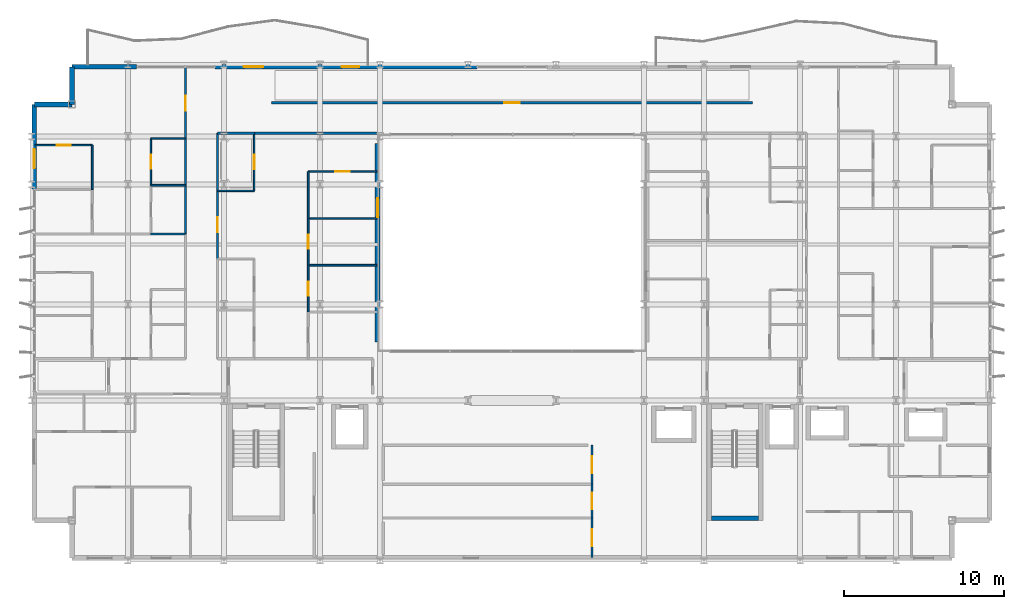
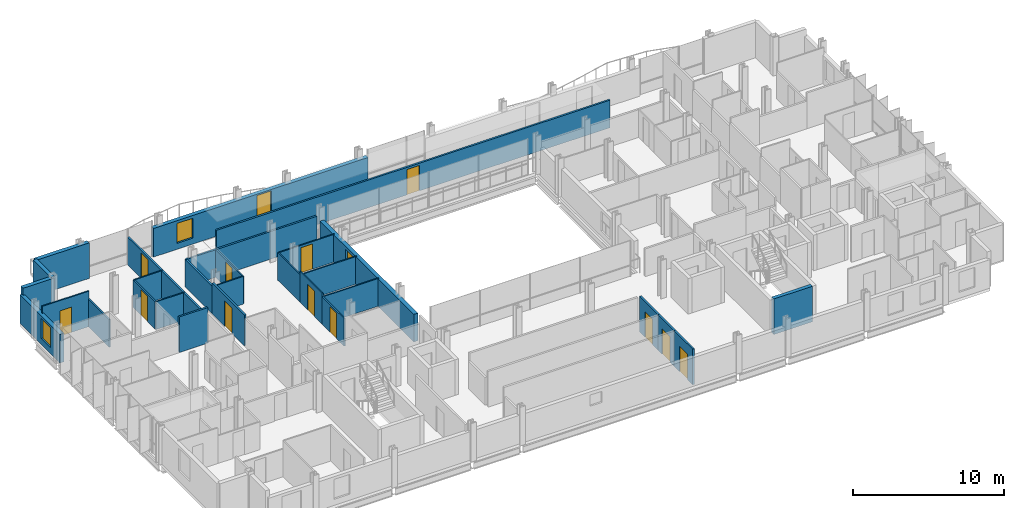
# One storey, part 29 of 38: 32 walls, 13 doors, 3 windows, 16 openings.
"""IFC4 building model written with IfcOpenShell, lengths in metres."""

from ifc_helpers import new_model, si_unit, direction, frame, frame_2d, origin, place, context, subcontext, project, spatial, rectangle, extrude, material, layer, layer_set, type_object, element, fill, save


model = new_model("IFC4")

# Units and contexts
model_context = context("Model", 3, precision=1e-05, world=origin(), true_north=direction((0.0, 1.0)))
body_context = subcontext(model_context, "Body", "Model", "MODEL_VIEW")
ifc_project = project(units=[si_unit("LENGTHUNIT", "METRE"), si_unit("AREAUNIT", "SQUARE_METRE"), si_unit("VOLUMEUNIT", "CUBIC_METRE"), si_unit("PLANEANGLEUNIT", "RADIAN"), si_unit("MASSUNIT", "GRAM", prefix="KILO")], contexts=[model_context])

# Site, building, storey
site_placement = place(None, origin())
site = spatial("IfcSite", under=ifc_project, at=site_placement, CompositionType="ELEMENT")
building_placement = place(site_placement, origin())
building = spatial("IfcBuilding", under=site, at=building_placement, Name="Brevholm Reach", CompositionType="ELEMENT")
storey_placement = place(building_placement, frame((0.0, 0.0, 59.0)))
storey = spatial("IfcBuildingStorey", under=building, at=storey_placement, Name="L16", CompositionType="ELEMENT", Elevation=59.0)

# Walls
ifc_material_1 = material(Name="Concrete C50/60", Category="concrete")
ifc_layer_1 = layer(ifc_material_1, 0.280029296875)
ifc_layer_set_1 = layer_set([ifc_layer_1], Name="Concrete C50/60")
wall_type_1 = type_object("IfcWallType", Name="WAL-COR-280", PredefinedType="SHEAR", material=ifc_layer_set_1)
wall_1_placement = place(storey_placement, frame((42.449951171875, 2.639892578125, 0.0), z_axis=(0.0, 0.0, 1.0), x_axis=(1.0, 0.0, 0.0)))
element("IfcWall", 1, at=wall_1_placement, inside=storey, type_object=wall_type_1, Name="L16 Escape Stair ST-2 Core Wall S", PredefinedType="SHEAR", context=body_context, shape_type="SweptSolid", body=[
    extrude(rectangle(XDim=2.949951171875, YDim=0.280029296875, at=frame_2d((1.47509765625, 0.0))), origin(), (0.0, 0.0, 1.0), 2.8701171875),
])
ifc_material_2 = material(Name="Concrete C40/50", Category="concrete")
ifc_layer_2 = layer(ifc_material_2, 0.300048828125)
ifc_layer_set_2 = layer_set([ifc_layer_2], Name="Concrete C40/50")
wall_type_2 = type_object("IfcWallType", Name="WAL-EXT-300", PredefinedType="STANDARD", material=ifc_layer_set_2)
for number, where, z_axis, x_axis, name in (
    (2, (2.5, 30.85009765625, 0.0), (0.0, 0.0, 1.0), (0.0, -1.0, 0.0), "L16 Facade Wall WAL-L16-CNW1"),
    (3, (2.5, 28.5, 0.0), (0.0, 0.0, 1.0), (-1.0, 0.0, 0.0), "L16 Facade Wall WAL-L16-CNW2"),
):
    element("IfcWall", number, at=place(storey_placement, frame(where, z_axis=z_axis, x_axis=x_axis)), inside=storey, type_object=wall_type_2, Name=name, PredefinedType="STANDARD", context=body_context, shape_type="SweptSolid", body=[
        extrude(rectangle(XDim=2.35009765625, YDim=0.300048828125, at=frame_2d((1.175048828125, 0.0))), origin(), (0.0, 0.0, 1.0), 2.8701171875),
    ])

# Wall, opening, window
wall_2_placement = place(storey_placement, frame((0.14990234375, 28.5, 0.0), z_axis=(0.0, 0.0, 1.0), x_axis=(0.0, -1.0, 0.0)))
wall_2 = element("IfcWall", 4, at=wall_2_placement, inside=storey, type_object=wall_type_2, Name="L16 Facade Wall WAL-L16-W-N", PredefinedType="STANDARD", context=body_context, shape_type="SweptSolid", body=[
    extrude(rectangle(XDim=5.280029296875, YDim=0.300048828125, at=frame_2d((2.64013671875, 0.0))), origin(), (0.0, 0.0, 1.0), 2.305419921875),
])
opening_1_placement = place(wall_2_placement, frame((2.800048828125, 0.0, 0.486083984375)))
opening_1 = element("IfcOpeningElement", 5, at=opening_1_placement, cuts=wall_2, Name="Opening WN-08", PredefinedType="OPENING", context=body_context, shape_type="SweptSolid", body=[
    extrude(rectangle(XDim=1.199951171875, YDim=1.60009765625, at=frame_2d((0.60009765625, 0.800048828125))), frame((0.0, 0.159912109375, 0.0), z_axis=(0.0, -1.0, 0.0), x_axis=(1.0, 0.0, 0.0)), (0.0, 0.0, 1.0), 0.320068359375),
])
ifc_material_3 = material(Name="Dark Anodised Aluminium and Solar-Control IGU Glass", Category="aluminium")
window_type = type_object("IfcWindowType", Name="WIN-RES-1200", PartitioningType="SINGLE_PANEL", PredefinedType="WINDOW", material=ifc_material_3)
window_1_placement = place(opening_1_placement, origin())
window_1 = element("IfcWindow", 6, at=window_1_placement, inside=storey, type_object=window_type, Name="L16 Window WIN-L16-WN-1", OverallHeight=1.60009765625, OverallWidth=1.199951171875, PartitioningType="SINGLE_PANEL", PredefinedType="WINDOW", context=body_context, shape_type="SweptSolid", body=[
    extrude(rectangle(XDim=1.199951171875, YDim=1.60009765625, at=frame_2d((0.60009765625, 0.800048828125))), frame((0.0, 0.030029296875, 0.0), z_axis=(0.0, -1.0, 0.0), x_axis=(1.0, 0.0, 0.0)), (0.0, 0.0, 1.0), 0.06005859375),
])
fill(opening_1, window_1)

# Wall
wall_3_placement = place(storey_placement, frame((2.5, 30.85009765625, 0.0), z_axis=(0.0, 0.0, 1.0), x_axis=(1.0, 0.0, 0.0)))
element("IfcWall", 7, at=wall_3_placement, inside=storey, type_object=wall_type_2, Name="L16 Facade Wall WAL-L16-NP-W0", PredefinedType="STANDARD", context=body_context, shape_type="SweptSolid", body=[
    extrude(rectangle(XDim=4.050048828125, YDim=0.300048828125, at=frame_2d((2.02490234375, 0.0))), origin(), (0.0, 0.0, 1.0), 2.8701171875),
])

# Wall, openings, door, window
wall_4_placement = place(storey_placement, frame((11.449951171875, 30.85009765625, 0.0), z_axis=(0.0, 0.0, 1.0), x_axis=(1.0, 0.0, 0.0)))
wall_4 = element("IfcWall", 8, at=wall_4_placement, inside=storey, type_object=wall_type_2, Name="L16 Facade Wall WAL-L16-NP-WL", PredefinedType="STANDARD", context=body_context, shape_type="SweptSolid", body=[
    extrude(rectangle(XDim=16.35009765625, YDim=0.300048828125, at=frame_2d((8.175048828125, 0.0))), origin(), (0.0, 0.0, 1.0), 2.305419921875),
])
opening_2_placement = place(wall_4_placement, frame((7.89794921875, 0.0, 0.0)))
opening_2 = element("IfcOpeningElement", 9, at=opening_2_placement, cuts=wall_4, Name="Opening BD-01", PredefinedType="OPENING", context=body_context, shape_type="SweptSolid", body=[
    extrude(rectangle(XDim=1.10009765625, YDim=2.199951171875, at=frame_2d((0.550048828125, 1.10009765625))), frame((0.0, 0.159912109375, 0.0), z_axis=(0.0, -1.0, 0.0), x_axis=(1.0, 0.0, 0.0)), (0.0, 0.0, 1.0), 0.320068359375),
])
opening_3_placement = place(wall_4_placement, frame((1.800048828125, 0.0, 0.486083984375)))
opening_3 = element("IfcOpeningElement", 10, at=opening_3_placement, cuts=wall_4, Name="Opening WN-08", PredefinedType="OPENING", context=body_context, shape_type="SweptSolid", body=[
    extrude(rectangle(XDim=1.199951171875, YDim=1.60009765625, at=frame_2d((0.60009765625, 0.800048828125))), frame((0.0, 0.159912109375, 0.0), z_axis=(0.0, -1.0, 0.0), x_axis=(1.0, 0.0, 0.0)), (0.0, 0.0, 1.0), 0.320068359375),
])
ifc_material_4 = material(Name="Dark Anodised Aluminium and Triple-Glazed Glass", Category="aluminium")
door_type_1 = type_object("IfcDoorType", Name="DOR-BALC-1100", OperationType="NOTDEFINED", PredefinedType="DOOR", material=ifc_material_4)
door_1_placement = place(opening_2_placement, origin())
door_1 = element("IfcDoor", 11, at=door_1_placement, inside=storey, type_object=door_type_1, Name="L16 Exterior Door DOR-L16-BL-NW", OperationType="SINGLE_SWING_LEFT", OverallHeight=2.199951171875, OverallWidth=1.10009765625, PredefinedType="DOOR", context=body_context, shape_type="SweptSolid", body=[
    extrude(rectangle(XDim=1.10009765625, YDim=2.199951171875, at=frame_2d((0.550048828125, 1.10009765625))), frame((0.0, 0.02490234375, 0.0), z_axis=(0.0, -1.0, 0.0), x_axis=(1.0, 0.0, 0.0)), (0.0, 0.0, 1.0), 0.050048828125),
])
fill(opening_2, door_1)
window_2_placement = place(opening_3_placement, origin())
window_2 = element("IfcWindow", 12, at=window_2_placement, inside=storey, type_object=window_type, Name="L16 Window WIN-L16-NP-WL1", OverallHeight=1.60009765625, OverallWidth=1.199951171875, PartitioningType="SINGLE_PANEL", PredefinedType="WINDOW", context=body_context, shape_type="SweptSolid", body=[
    extrude(rectangle(XDim=1.199951171875, YDim=1.60009765625, at=frame_2d((0.60009765625, 0.800048828125))), frame((0.0, 0.030029296875, 0.0), z_axis=(0.0, -1.0, 0.0), x_axis=(1.0, 0.0, 0.0)), (0.0, 0.0, 1.0), 0.06005859375),
])
fill(opening_3, window_2)

# Wall, opening, window
wall_5_placement = place(storey_placement, frame((21.60009765625, 26.050048828125, 0.0), z_axis=(0.0, 0.0, 1.0), x_axis=(0.0, -1.0, 0.0)))
wall_5 = element("IfcWall", 13, at=wall_5_placement, inside=storey, type_object=wall_type_2, Name="L16 Facade Wall WAL-L16-AT-W", PredefinedType="STANDARD", context=body_context, shape_type="SweptSolid", body=[
    extrude(rectangle(XDim=12.400146484375, YDim=0.300048828125, at=frame_2d((6.2001953125, 0.0))), origin(), (0.0, 0.0, 1.0), 2.224853515625),
])
opening_4_placement = place(wall_5_placement, frame((3.39990234375, 0.0, 0.405029296875)))
opening_4 = element("IfcOpeningElement", 14, at=opening_4_placement, cuts=wall_5, Name="Opening WN-08", PredefinedType="OPENING", context=body_context, shape_type="SweptSolid", body=[
    extrude(rectangle(XDim=1.199951171875, YDim=1.60009765625, at=frame_2d((0.60009765625, 0.800048828125))), frame((0.0, 0.159912109375, 0.0), z_axis=(0.0, -1.0, 0.0), x_axis=(1.0, 0.0, 0.0)), (0.0, 0.0, 1.0), 0.320068359375),
])
window_3_placement = place(opening_4_placement, origin())
window_3 = element("IfcWindow", 15, at=window_3_placement, inside=storey, type_object=window_type, Name="L16 Window WIN-L16-AT-W1", OverallHeight=1.60009765625, OverallWidth=1.199951171875, PartitioningType="SINGLE_PANEL", PredefinedType="WINDOW", context=body_context, shape_type="SweptSolid", body=[
    extrude(rectangle(XDim=1.199951171875, YDim=1.60009765625, at=frame_2d((0.60009765625, 0.800048828125))), frame((0.0, 0.030029296875, 0.0), z_axis=(0.0, -1.0, 0.0), x_axis=(1.0, 0.0, 0.0)), (0.0, 0.0, 1.0), 0.06005859375),
])
fill(opening_4, window_3)

# Walls
ifc_material_5 = material(Name="Moisture-Resistant Acoustic Gypsum Stud Partition 100 mm", Category="gypsum")
ifc_layer_3 = layer(ifc_material_5, 0.10009765625)
ifc_layer_set_3 = layer_set([ifc_layer_3], Name="Moisture-Resistant Acoustic Gypsum Stud Partition 100 mm")
wall_type_3 = type_object("IfcWallType", Name="WAL-PRT-100", PredefinedType="PARTITIONING", material=ifc_layer_set_3)
for number, where, z_axis, x_axis, name in (
    (16, (7.43798828125, 23.447998046875, 0.0), (0.0, 0.0, 1.0), (1.0, 0.0, 0.0), "L16 Internal Partition 095"),
    (17, (7.43798828125, 26.360107421875, 0.0), (0.0, 0.0, 1.0), (1.0, 0.0, 0.0), "L16 Internal Partition 097"),
):
    element("IfcWall", number, at=place(storey_placement, frame(where, z_axis=z_axis, x_axis=x_axis)), inside=storey, type_object=wall_type_3, Name=name, PredefinedType="PARTITIONING", context=body_context, shape_type="SweptSolid", body=[
        extrude(rectangle(XDim=2.157958984375, YDim=0.10009765625, at=frame_2d((1.0791015625, 0.0))), origin(), (0.0, 0.0, 1.0), 2.224853515625),
    ])

# Wall, opening, door
wall_6_placement = place(storey_placement, frame((7.43798828125, 23.451904296875, 0.0), z_axis=(0.0, 0.0, 1.0), x_axis=(0.0, 1.0, 0.0)))
wall_6 = element("IfcWall", 18, at=wall_6_placement, inside=storey, type_object=wall_type_3, Name="L16 Internal Partition 098", PredefinedType="PARTITIONING", context=body_context, shape_type="SweptSolid", body=[
    extrude(rectangle(XDim=2.908203125, YDim=0.10009765625, at=frame_2d((1.4541015625, 0.0))), origin(), (0.0, 0.0, 1.0), 2.224853515625),
])
opening_5_placement = place(wall_6_placement, frame((1.013916015625, 0.0, 0.0)))
opening_5 = element("IfcOpeningElement", 19, at=opening_5_placement, cuts=wall_6, Name="Opening ID-01", PredefinedType="OPENING", context=body_context, shape_type="SweptSolid", body=[
    extrude(rectangle(XDim=0.8798828125, YDim=2.0400390625, at=frame_2d((0.43994140625, 1.02001953125))), frame((0.0, 0.06005859375, 0.0), z_axis=(0.0, -1.0, 0.0), x_axis=(1.0, 0.0, 0.0)), (0.0, 0.0, 1.0), 0.1201171875),
])
ifc_material_6 = material(Name="Lacquered Ash Solid-Core Acoustic Internal Door", Category="timber")
door_type_2 = type_object("IfcDoorType", Name="DOR-INT-880", OperationType="NOTDEFINED", PredefinedType="DOOR", material=ifc_material_6)
door_2_placement = place(opening_5_placement, origin())
door_2 = element("IfcDoor", 20, at=door_2_placement, inside=storey, type_object=door_type_2, Name="L16 Internal Door 035", OperationType="SINGLE_SWING_LEFT", OverallHeight=2.0400390625, OverallWidth=0.8798828125, PredefinedType="DOOR", context=body_context, shape_type="SweptSolid", body=[
    extrude(rectangle(XDim=0.8798828125, YDim=2.0400390625, at=frame_2d((0.43994140625, 1.02001953125))), frame((0.0, 0.02490234375, 0.0), z_axis=(0.0, -1.0, 0.0), x_axis=(1.0, 0.0, 0.0)), (0.0, 0.0, 1.0), 0.050048828125),
])
fill(opening_5, door_2)

# Wall
wall_7_placement = place(storey_placement, frame((3.77197265625, 23.178955078125, 0.0), z_axis=(0.0, 0.0, 1.0), x_axis=(0.0, 1.0, 0.0)))
element("IfcWall", 21, at=wall_7_placement, inside=storey, type_object=wall_type_3, Name="L16 Internal Partition 101", PredefinedType="PARTITIONING", context=body_context, shape_type="SweptSolid", body=[
    extrude(rectangle(XDim=2.77099609375, YDim=0.10009765625, at=frame_2d((1.385498046875, 0.0))), origin(), (0.0, 0.0, 1.0), 2.224853515625),
])

# Wall, opening, door
wall_8_placement = place(storey_placement, frame((0.199951171875, 25.949951171875, 0.0), z_axis=(0.0, 0.0, 1.0), x_axis=(1.0, 0.0, 0.0)))
wall_8 = element("IfcWall", 22, at=wall_8_placement, inside=storey, type_object=wall_type_3, Name="L16 Internal Partition 102", PredefinedType="PARTITIONING", context=body_context, shape_type="SweptSolid", body=[
    extrude(rectangle(XDim=3.572021484375, YDim=0.10009765625, at=frame_2d((1.7861328125, 0.0))), origin(), (0.0, 0.0, 1.0), 2.8701171875),
])
opening_6_placement = place(wall_8_placement, frame((1.345947265625, 0.0, 0.0)))
opening_6 = element("IfcOpeningElement", 23, at=opening_6_placement, cuts=wall_8, Name="Opening ID-01", PredefinedType="OPENING", context=body_context, shape_type="SweptSolid", body=[
    extrude(rectangle(XDim=0.8798828125, YDim=2.0400390625, at=frame_2d((0.43994140625, 1.02001953125))), frame((0.0, 0.06005859375, 0.0), z_axis=(0.0, -1.0, 0.0), x_axis=(1.0, 0.0, 0.0)), (0.0, 0.0, 1.0), 0.1201171875),
])
door_3_placement = place(opening_6_placement, origin())
door_3 = element("IfcDoor", 24, at=door_3_placement, inside=storey, type_object=door_type_2, Name="L16 Internal Door 037", OperationType="SINGLE_SWING_LEFT", OverallHeight=2.0400390625, OverallWidth=0.8798828125, PredefinedType="DOOR", context=body_context, shape_type="SweptSolid", body=[
    extrude(rectangle(XDim=0.8798828125, YDim=2.0400390625, at=frame_2d((0.43994140625, 1.02001953125))), frame((0.0, 0.02490234375, 0.0), z_axis=(0.0, -1.0, 0.0), x_axis=(1.0, 0.0, 0.0)), (0.0, 0.0, 1.0), 0.050048828125),
])
fill(opening_6, door_3)

# Wall
wall_9_placement = place(storey_placement, frame((11.60400390625, 23.10009765625, 0.0), z_axis=(0.0, 0.0, 1.0), x_axis=(1.0, 0.0, 0.0)))
element("IfcWall", 25, at=wall_9_placement, inside=storey, type_object=wall_type_3, Name="L16 Internal Partition 107", PredefinedType="PARTITIONING", context=body_context, shape_type="SweptSolid", body=[
    extrude(rectangle(XDim=2.284912109375, YDim=0.10009765625, at=frame_2d((1.142578125, 0.0))), origin(), (0.0, 0.0, 1.0), 2.224853515625),
])

# Wall, opening, door
wall_10_placement = place(storey_placement, frame((13.888916015625, 23.10009765625, 0.0), z_axis=(0.0, 0.0, 1.0), x_axis=(0.0, 1.0, 0.0)))
wall_10 = element("IfcWall", 26, at=wall_10_placement, inside=storey, type_object=wall_type_3, Name="L16 Internal Partition 108", PredefinedType="PARTITIONING", context=body_context, shape_type="SweptSolid", body=[
    extrude(rectangle(XDim=3.595947265625, YDim=0.10009765625, at=frame_2d((1.7978515625, 0.0))), origin(), (0.0, 0.0, 1.0), 2.224853515625),
])
opening_7_placement = place(wall_10_placement, frame((1.35791015625, 0.0, 0.0)))
opening_7 = element("IfcOpeningElement", 27, at=opening_7_placement, cuts=wall_10, Name="Opening ID-01", PredefinedType="OPENING", context=body_context, shape_type="SweptSolid", body=[
    extrude(rectangle(XDim=0.8798828125, YDim=2.0400390625, at=frame_2d((0.43994140625, 1.02001953125))), frame((0.0, 0.06005859375, 0.0), z_axis=(0.0, -1.0, 0.0), x_axis=(1.0, 0.0, 0.0)), (0.0, 0.0, 1.0), 0.1201171875),
])
door_4_placement = place(opening_7_placement, origin())
door_4 = element("IfcDoor", 28, at=door_4_placement, inside=storey, type_object=door_type_2, Name="L16 Internal Door 040", OperationType="SINGLE_SWING_RIGHT", OverallHeight=2.0400390625, OverallWidth=0.8798828125, PredefinedType="DOOR", context=body_context, shape_type="SweptSolid", body=[
    extrude(rectangle(XDim=0.8798828125, YDim=2.0400390625, at=frame_2d((0.43994140625, 1.02001953125))), frame((0.0, 0.02490234375, 0.0), z_axis=(0.0, -1.0, 0.0), x_axis=(1.0, 0.0, 0.0)), (0.0, 0.0, 1.0), 0.050048828125),
])
fill(opening_7, door_4)

# Wall
wall_11_placement = place(storey_placement, frame((17.27099609375, 18.449951171875, 0.0), z_axis=(0.0, 0.0, 1.0), x_axis=(1.0, 0.0, 0.0)))
element("IfcWall", 29, at=wall_11_placement, inside=storey, type_object=wall_type_3, Name="L16 Internal Partition 111", PredefinedType="PARTITIONING", context=body_context, shape_type="SweptSolid", body=[
    extrude(rectangle(XDim=4.279052734375, YDim=0.10009765625, at=frame_2d((2.1396484375, 0.0))), origin(), (0.0, 0.0, 1.0), 2.224853515625),
])

# Wall, opening, door
wall_12_placement = place(storey_placement, frame((17.27099609375, 15.529052734375, 0.0), z_axis=(0.0, 0.0, 1.0), x_axis=(0.0, 1.0, 0.0)))
wall_12 = element("IfcWall", 30, at=wall_12_placement, inside=storey, type_object=wall_type_3, Name="L16 Internal Partition 112", PredefinedType="PARTITIONING", context=body_context, shape_type="SweptSolid", body=[
    extrude(rectangle(XDim=2.9208984375, YDim=0.10009765625, at=frame_2d((1.46044921875, 0.0))), origin(), (0.0, 0.0, 1.0), 2.224853515625),
])
opening_8_placement = place(wall_12_placement, frame((1.0205078125, 0.0, 0.0)))
opening_8 = element("IfcOpeningElement", 31, at=opening_8_placement, cuts=wall_12, Name="Opening ID-01", PredefinedType="OPENING", context=body_context, shape_type="SweptSolid", body=[
    extrude(rectangle(XDim=0.8798828125, YDim=2.0400390625, at=frame_2d((0.43994140625, 1.02001953125))), frame((0.0, 0.06005859375, 0.0), z_axis=(0.0, -1.0, 0.0), x_axis=(1.0, 0.0, 0.0)), (0.0, 0.0, 1.0), 0.1201171875),
])
door_5_placement = place(opening_8_placement, origin())
door_5 = element("IfcDoor", 32, at=door_5_placement, inside=storey, type_object=door_type_2, Name="L16 Internal Door 042", OperationType="SINGLE_SWING_RIGHT", OverallHeight=2.0400390625, OverallWidth=0.8798828125, PredefinedType="DOOR", context=body_context, shape_type="SweptSolid", body=[
    extrude(rectangle(XDim=0.8798828125, YDim=2.0400390625, at=frame_2d((0.43994140625, 1.02001953125))), frame((0.0, 0.02490234375, 0.0), z_axis=(0.0, -1.0, 0.0), x_axis=(1.0, 0.0, 0.0)), (0.0, 0.0, 1.0), 0.050048828125),
])
fill(opening_8, door_5)

# Wall
wall_13_placement = place(storey_placement, frame((17.27099609375, 21.375, 0.0), z_axis=(0.0, 0.0, 1.0), x_axis=(1.0, 0.0, 0.0)))
element("IfcWall", 33, at=wall_13_placement, inside=storey, type_object=wall_type_3, Name="L16 Internal Partition 113", PredefinedType="PARTITIONING", context=body_context, shape_type="SweptSolid", body=[
    extrude(rectangle(XDim=4.279052734375, YDim=0.10009765625, at=frame_2d((2.1396484375, 0.0))), origin(), (0.0, 0.0, 1.0), 2.224853515625),
])

# Wall, opening, door
wall_14_placement = place(storey_placement, frame((17.27099609375, 18.4541015625, 0.0), z_axis=(0.0, 0.0, 1.0), x_axis=(0.0, 1.0, 0.0)))
wall_14 = element("IfcWall", 34, at=wall_14_placement, inside=storey, type_object=wall_type_3, Name="L16 Internal Partition 114", PredefinedType="PARTITIONING", context=body_context, shape_type="SweptSolid", body=[
    extrude(rectangle(XDim=2.9208984375, YDim=0.10009765625, at=frame_2d((1.46044921875, 0.0))), origin(), (0.0, 0.0, 1.0), 2.489990234375),
])
opening_9_placement = place(wall_14_placement, frame((1.0205078125, 0.0, 0.0)))
opening_9 = element("IfcOpeningElement", 35, at=opening_9_placement, cuts=wall_14, Name="Opening ID-01", PredefinedType="OPENING", context=body_context, shape_type="SweptSolid", body=[
    extrude(rectangle(XDim=0.8798828125, YDim=2.0400390625, at=frame_2d((0.43994140625, 1.02001953125))), frame((0.0, 0.06005859375, 0.0), z_axis=(0.0, -1.0, 0.0), x_axis=(1.0, 0.0, 0.0)), (0.0, 0.0, 1.0), 0.1201171875),
])
door_6_placement = place(opening_9_placement, origin())
door_6 = element("IfcDoor", 36, at=door_6_placement, inside=storey, type_object=door_type_2, Name="L16 Internal Door 043", OperationType="SINGLE_SWING_LEFT", OverallHeight=2.0400390625, OverallWidth=0.8798828125, PredefinedType="DOOR", context=body_context, shape_type="SweptSolid", body=[
    extrude(rectangle(XDim=0.8798828125, YDim=2.0400390625, at=frame_2d((0.43994140625, 1.02001953125))), frame((0.0, 0.02490234375, 0.0), z_axis=(0.0, -1.0, 0.0), x_axis=(1.0, 0.0, 0.0)), (0.0, 0.0, 1.0), 0.050048828125),
])
fill(opening_9, door_6)

wall_15_placement = place(storey_placement, frame((17.27099609375, 24.300048828125, 0.0), z_axis=(0.0, 0.0, 1.0), x_axis=(1.0, 0.0, 0.0)))
wall_15 = element("IfcWall", 37, at=wall_15_placement, inside=storey, type_object=wall_type_3, Name="L16 Internal Partition 115", PredefinedType="PARTITIONING", context=body_context, shape_type="SweptSolid", body=[
    extrude(rectangle(XDim=4.279052734375, YDim=0.10009765625, at=frame_2d((2.1396484375, 0.0))), origin(), (0.0, 0.0, 1.0), 2.224853515625),
])
opening_10_placement = place(wall_15_placement, frame((1.699462890625, 0.0, 0.0)))
opening_10 = element("IfcOpeningElement", 38, at=opening_10_placement, cuts=wall_15, Name="Opening ID-01", PredefinedType="OPENING", context=body_context, shape_type="SweptSolid", body=[
    extrude(rectangle(XDim=0.8798828125, YDim=2.0400390625, at=frame_2d((0.43994140625, 1.02001953125))), frame((0.0, 0.06005859375, 0.0), z_axis=(0.0, -1.0, 0.0), x_axis=(1.0, 0.0, 0.0)), (0.0, 0.0, 1.0), 0.1201171875),
])
door_7_placement = place(opening_10_placement, origin())
door_7 = element("IfcDoor", 39, at=door_7_placement, inside=storey, type_object=door_type_2, Name="L16 Internal Door 044", OperationType="SINGLE_SWING_RIGHT", OverallHeight=2.0400390625, OverallWidth=0.8798828125, PredefinedType="DOOR", context=body_context, shape_type="SweptSolid", body=[
    extrude(rectangle(XDim=0.8798828125, YDim=2.0400390625, at=frame_2d((0.43994140625, 1.02001953125))), frame((0.0, 0.02490234375, 0.0), z_axis=(0.0, -1.0, 0.0), x_axis=(1.0, 0.0, 0.0)), (0.0, 0.0, 1.0), 0.050048828125),
])
fill(opening_10, door_7)

# Wall
wall_16_placement = place(storey_placement, frame((17.27099609375, 21.37890625, 0.0), z_axis=(0.0, 0.0, 1.0), x_axis=(0.0, 1.0, 0.0)))
element("IfcWall", 40, at=wall_16_placement, inside=storey, type_object=wall_type_3, Name="L16 Internal Partition 116", PredefinedType="PARTITIONING", context=body_context, shape_type="SweptSolid", body=[
    extrude(rectangle(XDim=2.921142578125, YDim=0.10009765625, at=frame_2d((1.46044921875, 0.0))), origin(), (0.0, 0.0, 1.0), 2.224853515625),
])

# Wall, opening, door
ifc_material_7 = material(Name="Twin-Stud Acoustic Fire-Rated Gypsum Partition 140 mm", Category="gypsum")
ifc_layer_4 = layer(ifc_material_7, 0.139892578125)
ifc_layer_set_4 = layer_set([ifc_layer_4], Name="Twin-Stud Acoustic Fire-Rated Gypsum Partition 140 mm")
wall_type_4 = type_object("IfcWallType", Name="WAL-PRT-140", PredefinedType="PARTITIONING", material=ifc_layer_set_4)
wall_17_placement = place(storey_placement, frame((35.0, 0.179931640625, 0.0), z_axis=(0.0, 0.0, 1.0), x_axis=(0.0, 1.0, 0.0)))
wall_17 = element("IfcWall", 41, at=wall_17_placement, inside=storey, type_object=wall_type_4, Name="L16 Internal Partition 001", PredefinedType="PARTITIONING", context=body_context, shape_type="SweptSolid", body=[
    extrude(rectangle(XDim=2.48828125, YDim=0.139892578125, at=frame_2d((1.244140625, 0.0))), origin(), (0.0, 0.0, 1.0), 2.8701171875),
])
opening_11_placement = place(wall_17_placement, frame((0.718994140625, 0.0, 0.0)))
opening_11 = element("IfcOpeningElement", 42, at=opening_11_placement, cuts=wall_17, Name="Opening FD-01", PredefinedType="OPENING", context=body_context, shape_type="SweptSolid", body=[
    extrude(rectangle(XDim=1.050048828125, YDim=2.06005859375, at=frame_2d((0.52490234375, 1.030029296875))), frame((0.0, 0.079833984375, 0.0), z_axis=(0.0, -1.0, 0.0), x_axis=(1.0, 0.0, 0.0)), (0.0, 0.0, 1.0), 0.159912109375),
])
ifc_material_8 = material(Name="Hardwood-Lipped Steel-Core Fire and Smoke Door", Category="steel")
door_type_3 = type_object("IfcDoorType", Name="DOR-INT-FD60S", OperationType="NOTDEFINED", PredefinedType="DOOR", material=ifc_material_8)
door_8_placement = place(opening_11_placement, origin())
door_8 = element("IfcDoor", 43, at=door_8_placement, inside=storey, type_object=door_type_3, Name="L16 Internal Door 001", OperationType="SINGLE_SWING_LEFT", OverallHeight=2.06005859375, OverallWidth=1.050048828125, PredefinedType="DOOR", context=body_context, shape_type="SweptSolid", body=[
    extrude(rectangle(XDim=1.050048828125, YDim=2.06005859375, at=frame_2d((0.52490234375, 1.030029296875))), frame((0.0, 0.02490234375, 0.0), z_axis=(0.0, -1.0, 0.0), x_axis=(1.0, 0.0, 0.0)), (0.0, 0.0, 1.0), 0.050048828125),
])
fill(opening_11, door_8)

wall_18_placement = place(storey_placement, frame((35.0, 2.649658203125, 0.0), z_axis=(0.0, 0.0, 1.0), x_axis=(0.0, 1.0, 0.0)))
wall_18 = element("IfcWall", 44, at=wall_18_placement, inside=storey, type_object=wall_type_4, Name="L16 Internal Partition 002", PredefinedType="PARTITIONING", context=body_context, shape_type="SweptSolid", body=[
    extrude(rectangle(XDim=2.126708984375, YDim=0.139892578125, at=frame_2d((1.0634765625, 0.0))), origin(), (0.0, 0.0, 1.0), 2.8701171875),
])
opening_12_placement = place(wall_18_placement, frame((0.538330078125, 0.0, 0.0)))
opening_12 = element("IfcOpeningElement", 45, at=opening_12_placement, cuts=wall_18, Name="Opening FD-01", PredefinedType="OPENING", context=body_context, shape_type="SweptSolid", body=[
    extrude(rectangle(XDim=1.050048828125, YDim=2.06005859375, at=frame_2d((0.52490234375, 1.030029296875))), frame((0.0, 0.079833984375, 0.0), z_axis=(0.0, -1.0, 0.0), x_axis=(1.0, 0.0, 0.0)), (0.0, 0.0, 1.0), 0.159912109375),
])
door_9_placement = place(opening_12_placement, origin())
door_9 = element("IfcDoor", 46, at=door_9_placement, inside=storey, type_object=door_type_3, Name="L16 Internal Door 002", OperationType="SINGLE_SWING_RIGHT", OverallHeight=2.06005859375, OverallWidth=1.050048828125, PredefinedType="DOOR", context=body_context, shape_type="SweptSolid", body=[
    extrude(rectangle(XDim=1.050048828125, YDim=2.06005859375, at=frame_2d((0.52490234375, 1.030029296875))), frame((0.0, 0.02490234375, 0.0), z_axis=(0.0, -1.0, 0.0), x_axis=(1.0, 0.0, 0.0)), (0.0, 0.0, 1.0), 0.050048828125),
])
fill(opening_12, door_9)

wall_19_placement = place(storey_placement, frame((35.0, 4.7578125, 0.0), z_axis=(0.0, 0.0, 1.0), x_axis=(0.0, 1.0, 0.0)))
wall_19 = element("IfcWall", 47, at=wall_19_placement, inside=storey, type_object=wall_type_4, Name="L16 Internal Partition 003", PredefinedType="PARTITIONING", context=body_context, shape_type="SweptSolid", body=[
    extrude(rectangle(XDim=2.453369140625, YDim=0.139892578125, at=frame_2d((1.2265625, 0.0))), origin(), (0.0, 0.0, 1.0), 2.8701171875),
])
opening_13_placement = place(wall_19_placement, frame((0.701904296875, 0.0, 0.0)))
opening_13 = element("IfcOpeningElement", 48, at=opening_13_placement, cuts=wall_19, Name="Opening FD-01", PredefinedType="OPENING", context=body_context, shape_type="SweptSolid", body=[
    extrude(rectangle(XDim=1.050048828125, YDim=2.06005859375, at=frame_2d((0.52490234375, 1.030029296875))), frame((0.0, 0.079833984375, 0.0), z_axis=(0.0, -1.0, 0.0), x_axis=(1.0, 0.0, 0.0)), (0.0, 0.0, 1.0), 0.159912109375),
])
door_10_placement = place(opening_13_placement, origin())
door_10 = element("IfcDoor", 49, at=door_10_placement, inside=storey, type_object=door_type_3, Name="L16 Internal Door 003", OperationType="SINGLE_SWING_LEFT", OverallHeight=2.06005859375, OverallWidth=1.050048828125, PredefinedType="DOOR", context=body_context, shape_type="SweptSolid", body=[
    extrude(rectangle(XDim=1.050048828125, YDim=2.06005859375, at=frame_2d((0.52490234375, 1.030029296875))), frame((0.0, 0.02490234375, 0.0), z_axis=(0.0, -1.0, 0.0), x_axis=(1.0, 0.0, 0.0)), (0.0, 0.0, 1.0), 0.050048828125),
])
fill(opening_13, door_10)

# Walls
wall_20_placement = place(storey_placement, frame((9.60009765625, 20.392578125, 0.0), z_axis=(0.0, 0.0, 1.0), x_axis=(0.0, 1.0, 0.0)))
element("IfcWall", 50, at=wall_20_placement, inside=storey, type_object=wall_type_4, Name="L16 Internal Partition 035", PredefinedType="PARTITIONING", context=body_context, shape_type="SweptSolid", body=[
    extrude(rectangle(XDim=3.066650390625, YDim=0.139892578125, at=frame_2d((1.533203125, 0.0))), origin(), (0.0, 0.0, 1.0), 2.224853515625),
])
wall_21_placement = place(storey_placement, frame((9.60009765625, 23.440673828125, 0.0), z_axis=(0.0, 0.0, 1.0), x_axis=(0.0, 1.0, 0.0)))
element("IfcWall", 51, at=wall_21_placement, inside=storey, type_object=wall_type_4, Name="L16 Internal Partition 036", PredefinedType="PARTITIONING", context=body_context, shape_type="SweptSolid", body=[
    extrude(rectangle(XDim=2.9306640625, YDim=0.139892578125, at=frame_2d((1.46533203125, 0.0))), origin(), (0.0, 0.0, 1.0), 2.224853515625),
])

# Wall, opening, door
wall_22_placement = place(storey_placement, frame((9.60009765625, 26.352783203125, 0.0), z_axis=(0.0, 0.0, 1.0), x_axis=(0.0, 1.0, 0.0)))
wall_22 = element("IfcWall", 52, at=wall_22_placement, inside=storey, type_object=wall_type_4, Name="L16 Internal Partition 037", PredefinedType="PARTITIONING", context=body_context, shape_type="SweptSolid", body=[
    extrude(rectangle(XDim=4.447265625, YDim=0.139892578125, at=frame_2d((2.2236328125, 0.0))), origin(), (0.0, 0.0, 1.0), 2.224853515625),
])
opening_14_placement = place(wall_22_placement, frame((1.748779296875, 0.0, 0.0)))
opening_14 = element("IfcOpeningElement", 53, at=opening_14_placement, cuts=wall_22, Name="Opening ID-30", PredefinedType="OPENING", context=body_context, shape_type="SweptSolid", body=[
    extrude(rectangle(XDim=0.949951171875, YDim=2.050048828125, at=frame_2d((0.47509765625, 1.02490234375))), frame((0.0, 0.079833984375, 0.0), z_axis=(0.0, -1.0, 0.0), x_axis=(1.0, 0.0, 0.0)), (0.0, 0.0, 1.0), 0.159912109375),
])
ifc_material_9 = material(Name="European Oak Veneered Solid-Core Fire Entrance Door", Category="timber")
door_type_4 = type_object("IfcDoorType", Name="DOR-FLT-FD30S", OperationType="NOTDEFINED", PredefinedType="DOOR", material=ifc_material_9)
door_11_placement = place(opening_14_placement, origin())
door_11 = element("IfcDoor", 54, at=door_11_placement, inside=storey, type_object=door_type_4, Name="L16 Internal Door 016", OperationType="SINGLE_SWING_RIGHT", OverallHeight=2.050048828125, OverallWidth=0.949951171875, PredefinedType="DOOR", context=body_context, shape_type="SweptSolid", body=[
    extrude(rectangle(XDim=0.949951171875, YDim=2.050048828125, at=frame_2d((0.47509765625, 1.02490234375))), frame((0.0, 0.02490234375, 0.0), z_axis=(0.0, -1.0, 0.0), x_axis=(1.0, 0.0, 0.0)), (0.0, 0.0, 1.0), 0.050048828125),
])
fill(opening_14, door_11)

# Wall
wall_23_placement = place(storey_placement, frame((11.60009765625, 23.088623046875, 0.0), z_axis=(0.0, 0.0, 1.0), x_axis=(0.0, 1.0, 0.0)))
element("IfcWall", 55, at=wall_23_placement, inside=storey, type_object=wall_type_4, Name="L16 Internal Partition 040", PredefinedType="PARTITIONING", context=body_context, shape_type="SweptSolid", body=[
    extrude(rectangle(XDim=3.61865234375, YDim=0.139892578125, at=frame_2d((1.809326171875, 0.0))), origin(), (0.0, 0.0, 1.0), 2.224853515625),
])

# Wall, opening, door
wall_24_placement = place(storey_placement, frame((11.60009765625, 18.8427734375, 0.0), z_axis=(0.0, 0.0, 1.0), x_axis=(0.0, 1.0, 0.0)))
wall_24 = element("IfcWall", 56, at=wall_24_placement, inside=storey, type_object=wall_type_4, Name="L16 Internal Partition 041", PredefinedType="PARTITIONING", context=body_context, shape_type="SweptSolid", body=[
    extrude(rectangle(XDim=4.2646484375, YDim=0.139892578125, at=frame_2d((2.13232421875, 0.0))), origin(), (0.0, 0.0, 1.0), 2.489990234375),
])
opening_15_placement = place(wall_24_placement, frame((1.6572265625, 0.0, 0.0)))
opening_15 = element("IfcOpeningElement", 57, at=opening_15_placement, cuts=wall_24, Name="Opening ID-30", PredefinedType="OPENING", context=body_context, shape_type="SweptSolid", body=[
    extrude(rectangle(XDim=0.949951171875, YDim=2.050048828125, at=frame_2d((0.47509765625, 1.02490234375))), frame((0.0, 0.079833984375, 0.0), z_axis=(0.0, -1.0, 0.0), x_axis=(1.0, 0.0, 0.0)), (0.0, 0.0, 1.0), 0.159912109375),
])
door_12_placement = place(opening_15_placement, origin())
door_12 = element("IfcDoor", 58, at=door_12_placement, inside=storey, type_object=door_type_4, Name="L16 Internal Door 017", OperationType="SINGLE_SWING_LEFT", OverallHeight=2.050048828125, OverallWidth=0.949951171875, PredefinedType="DOOR", context=body_context, shape_type="SweptSolid", body=[
    extrude(rectangle(XDim=0.949951171875, YDim=2.050048828125, at=frame_2d((0.47509765625, 1.02490234375))), frame((0.0, 0.02490234375, 0.0), z_axis=(0.0, -1.0, 0.0), x_axis=(1.0, 0.0, 0.0)), (0.0, 0.0, 1.0), 0.050048828125),
])
fill(opening_15, door_12)

# Walls
wall_25_placement = place(storey_placement, frame((11.60400390625, 26.699951171875, 0.0), z_axis=(0.0, 0.0, 1.0), x_axis=(1.0, 0.0, 0.0)))
element("IfcWall", 59, at=wall_25_placement, inside=storey, type_object=wall_type_4, Name="L16 Internal Partition 054", PredefinedType="PARTITIONING", context=body_context, shape_type="SweptSolid", body=[
    extrude(rectangle(XDim=2.29638671875, YDim=0.139892578125, at=frame_2d((1.148193359375, 0.0))), origin(), (0.0, 0.0, 1.0), 2.224853515625),
])
wall_26_placement = place(storey_placement, frame((13.881591796875, 26.699951171875, 0.0), z_axis=(0.0, 0.0, 1.0), x_axis=(1.0, 0.0, 0.0)))
element("IfcWall", 60, at=wall_26_placement, inside=storey, type_object=wall_type_4, Name="L16 Internal Partition 055", PredefinedType="PARTITIONING", context=body_context, shape_type="SweptSolid", body=[
    extrude(rectangle(XDim=7.6796875, YDim=0.139892578125, at=frame_2d((3.83984375, 0.0))), origin(), (0.0, 0.0, 1.0), 2.224853515625),
])

# Wall, opening, door
wall_27_placement = place(storey_placement, frame((14.98876953125, 28.60009765625, 0.0), z_axis=(0.0, 0.0, 1.0), x_axis=(1.0, 0.0, 0.0)))
wall_27 = element("IfcWall", 61, at=wall_27_placement, inside=storey, type_object=wall_type_4, Name="L16 Internal Partition 058", PredefinedType="PARTITIONING", context=body_context, shape_type="SweptSolid", body=[
    extrude(rectangle(XDim=30.0224609375, YDim=0.139892578125, at=frame_2d((15.01123046875, 0.0))), origin(), (0.0, 0.0, 1.0), 2.224853515625),
])
opening_16_placement = place(wall_27_placement, frame((14.536376953125, 0.0, 0.0)))
opening_16 = element("IfcOpeningElement", 62, at=opening_16_placement, cuts=wall_27, Name="Opening ID-30", PredefinedType="OPENING", context=body_context, shape_type="SweptSolid", body=[
    extrude(rectangle(XDim=0.949951171875, YDim=2.050048828125, at=frame_2d((0.47509765625, 1.02490234375))), frame((0.0, 0.079833984375, 0.0), z_axis=(0.0, -1.0, 0.0), x_axis=(1.0, 0.0, 0.0)), (0.0, 0.0, 1.0), 0.159912109375),
])
door_13_placement = place(opening_16_placement, origin())
door_13 = element("IfcDoor", 63, at=door_13_placement, inside=storey, type_object=door_type_4, Name="L16 Internal Door 021", OperationType="SINGLE_SWING_LEFT", OverallHeight=2.050048828125, OverallWidth=0.949951171875, PredefinedType="DOOR", context=body_context, shape_type="SweptSolid", body=[
    extrude(rectangle(XDim=0.949951171875, YDim=2.050048828125, at=frame_2d((0.47509765625, 1.02490234375))), frame((0.0, 0.02490234375, 0.0), z_axis=(0.0, -1.0, 0.0), x_axis=(1.0, 0.0, 0.0)), (0.0, 0.0, 1.0), 0.050048828125),
])
fill(opening_16, door_13)

# Wall
wall_28_placement = place(storey_placement, frame((7.4267578125, 20.39990234375, 0.0), z_axis=(0.0, 0.0, 1.0), x_axis=(1.0, 0.0, 0.0)))
element("IfcWall", 64, at=wall_28_placement, inside=storey, type_object=wall_type_4, Name="L16 Internal Partition 092", PredefinedType="PARTITIONING", context=body_context, shape_type="SweptSolid", body=[
    extrude(rectangle(XDim=2.169189453125, YDim=0.139892578125, at=frame_2d((1.08447265625, 0.0))), origin(), (0.0, 0.0, 1.0), 2.8701171875),
])

save(model, "model.ifc")
